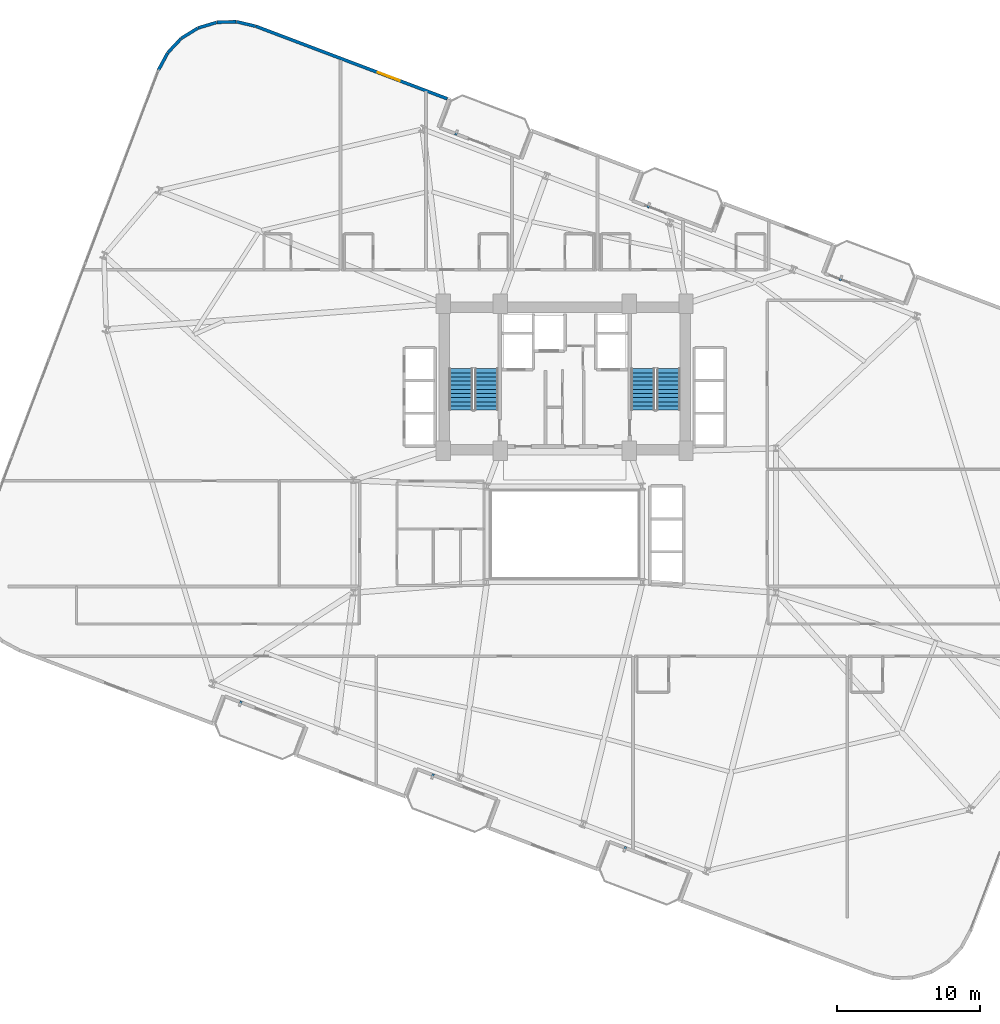
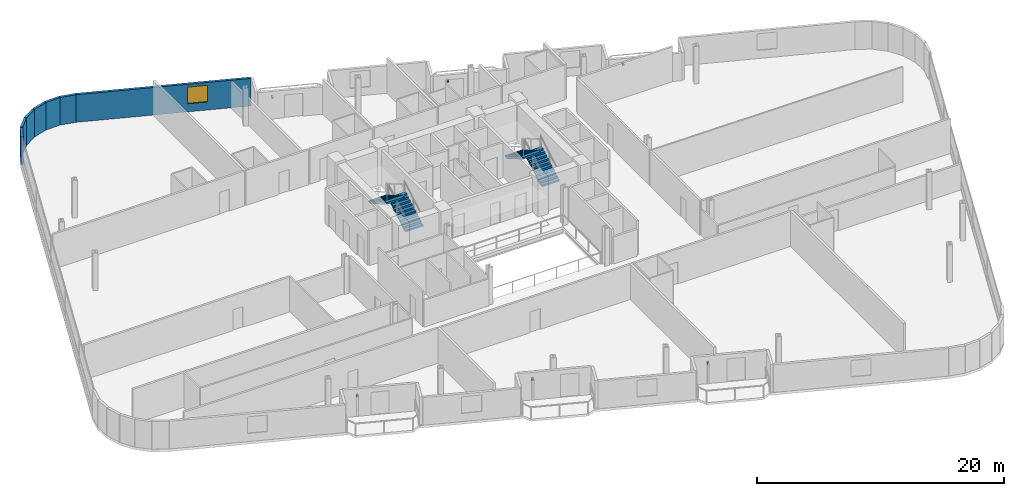
# One storey, part 21 of 24: 7 walls, 6 discrete accessories, 4 stair flights, 1 window, 1 opening, 2 elements without a shape of their own.
"""IFC4 building model written with IfcOpenShell, lengths in metres."""

from ifc_helpers import new_model, si_unit, direction, frame, frame_2d, origin, origin_2d, place, context, subcontext, project, spatial, polyline, rectangle, outline, extrude, source, transform, mapped, material, layer, layer_set, type_object, element, fill, aggregate, save


model = new_model("IFC4")

# Units and contexts
model_context = context("Model", 3, precision=1e-05, world=origin(), true_north=direction((0.0, 1.0)))
body_context = subcontext(model_context, "Body", "Model", "MODEL_VIEW")
ifc_project = project(units=[si_unit("LENGTHUNIT", "METRE"), si_unit("AREAUNIT", "SQUARE_METRE"), si_unit("VOLUMEUNIT", "CUBIC_METRE"), si_unit("PLANEANGLEUNIT", "RADIAN"), si_unit("MASSUNIT", "GRAM", prefix="KILO")], contexts=[model_context])

# Site, building, storey
site_placement = place(None, origin())
site = spatial("IfcSite", under=ifc_project, at=site_placement, CompositionType="ELEMENT")
building_placement = place(site_placement, origin())
building = spatial("IfcBuilding", under=site, at=building_placement, Name="Varnelok Gate Tower", CompositionType="ELEMENT")
storey_placement = place(building_placement, frame((0.0, 0.0, 94.699951171875)))
storey = spatial("IfcBuildingStorey", under=building, at=storey_placement, Name="L23", CompositionType="ELEMENT", Elevation=94.699951171875)

# Wall, opening, window
ifc_material_1 = material(Name="Concrete C45/55", Category="concrete")
ifc_layer = layer(ifc_material_1, 0.219970703125)
ifc_layer_set = layer_set([ifc_layer], Name="Concrete C45/55")
wall_type = type_object("IfcWallType", Name="EW-BALC-220", PredefinedType="SOLIDWALL", material=ifc_layer_set)
wall_1_placement = place(storey_placement, frame((30.97607421875, 53.412841796875, 0.0), z_axis=(0.0, 0.0, 1.0), x_axis=(-0.935220327379, 0.354066292178, 0.0)))
wall_1 = element("IfcWall", 1, at=wall_1_placement, inside=storey, type_object=wall_type, Name="L23 Perimeter Facade Closure Wall 38", PredefinedType="SOLIDWALL", context=body_context, shape_type="SweptSolid", body=[
    extrude(rectangle(XDim=14.34716796875, YDim=0.219970703125, at=frame_2d((7.173583984375, 0.0))), origin(), (0.0, 0.0, 1.0), 2.72998046875),
])
opening_placement = place(wall_1_placement, frame((3.55517578125, 0.0, 0.800048828125)))
opening = element("IfcOpeningElement", 2, at=opening_placement, cuts=wall_1, Name="Opening WN3", PredefinedType="OPENING", context=body_context, shape_type="SweptSolid", body=[
    extrude(rectangle(XDim=1.64990234375, YDim=1.64990234375, at=frame_2d((0.824951171875, 0.824951171875))), frame((0.0, 0.119873046875, 0.0), z_axis=(0.0, -1.0, 0.0), x_axis=(1.0, 0.0, 0.0)), (0.0, 0.0, 1.0), 0.239990234375),
])
ifc_material_2 = material(Name="Low-E Laminated Double Glazing IGU", Category="glass")
window_type = type_object("IfcWindowType", Name="WN-HTL-1650", PartitioningType="SINGLE_PANEL", PredefinedType="WINDOW", material=ifc_material_2)
window_placement = place(opening_placement, origin())
window = element("IfcWindow", 3, at=window_placement, inside=storey, type_object=window_type, Name="L23 Perimeter Vision Window 38", OverallHeight=1.64990234375, OverallWidth=1.64990234375, PartitioningType="SINGLE_PANEL", PredefinedType="WINDOW", context=body_context, shape_type="SweptSolid", body=[
    extrude(rectangle(XDim=1.64990234375, YDim=1.64990234375, at=frame_2d((0.824951171875, 0.824951171875))), frame((0.0, 0.030029296875, 0.0), z_axis=(0.0, -1.0, 0.0), x_axis=(1.0, 0.0, 0.0)), (0.0, 0.0, 1.0), 0.06005859375),
])
fill(opening, window)

# Walls
wall_2_placement = place(storey_placement, frame((17.533935546875, 58.498291015625, 0.0), z_axis=(0.0, 0.0, 1.0), x_axis=(-0.973414815952, 0.229049331117, 0.0)))
element("IfcWall", 4, at=wall_2_placement, inside=storey, type_object=wall_type, Name="L23 Perimeter Facade Closure Wall 39", PredefinedType="SOLIDWALL", context=body_context, shape_type="SweptSolid", body=[
    extrude(rectangle(XDim=1.361083984375, YDim=0.219970703125, at=frame_2d((0.6806640625, 0.0))), origin(), (0.0, 0.0, 1.0), 2.72998046875),
])
wall_3_placement = place(storey_placement, frame((16.18408203125, 58.809326171875, 0.0), z_axis=(0.0, 0.0, 1.0), x_axis=(-0.999523971993, -0.03085173271, 0.0)))
element("IfcWall", 5, at=wall_3_placement, inside=storey, type_object=wall_type, Name="L23 Perimeter Facade Closure Wall 40", PredefinedType="SOLIDWALL", context=body_context, shape_type="SweptSolid", body=[
    extrude(rectangle(XDim=1.353271484375, YDim=0.219970703125, at=frame_2d((0.6767578125, 0.0))), origin(), (0.0, 0.0, 1.0), 2.72998046875),
])
for number, where, z_axis, x_axis, name in (
    (6, (14.8076171875, 58.76025390625, 0.0), (0.0, 0.0, 1.0), (-0.957532798303, -0.28832436625, 0.0), "L23 Perimeter Facade Closure Wall 41"),
    (7, (13.49072265625, 58.35693359375, 0.0), (0.0, 0.0, 1.0), (-0.850261301096, -0.526360826676, 0.0), "L23 Perimeter Facade Closure Wall 42"),
    (8, (12.3232421875, 57.62646484375, 0.0), (0.0, 0.0, 1.0), (-0.684936830459, -0.728602455583, 0.0), "L23 Perimeter Facade Closure Wall 43"),
    (9, (11.384521484375, 56.61865234375, 0.0), (0.0, 0.0, 1.0), (-0.473077364598, -0.881020889142, 0.0), "L23 Perimeter Facade Closure Wall 44"),
):
    element("IfcWall", number, at=place(storey_placement, frame(where, z_axis=z_axis, x_axis=x_axis)), inside=storey, type_object=wall_type, Name=name, PredefinedType="SOLIDWALL", context=body_context, shape_type="SweptSolid", body=[
        extrude(rectangle(XDim=1.35302734375, YDim=0.219970703125, at=frame_2d((0.676513671875, 0.0))), origin(), (0.0, 0.0, 1.0), 2.72998046875),
    ])

# Stair, stair flights
ifc_material_3 = material(Name="Concrete C50/60", Category="concrete")
stair_type = type_object("IfcStairType", Name="STR-CORE-1650", PredefinedType="HALF_TURN_STAIR", material=ifc_material_3)
stair_1_placement = place(storey_placement, origin())
stair_1 = element("IfcStair", 10, at=stair_1_placement, inside=storey, type_object=stair_type, Name="L23 Exit Stair ST-1", PredefinedType="HALF_TURN_STAIR")
stair_flight_type = type_object("IfcStairFlightType", Name="SFL-CORE-1650", PredefinedType="STRAIGHT", material=ifc_material_3)
stair_flight_1_placement = place(storey_placement, frame((33.72509765625, 31.60009765625, 0.0), z_axis=(0.0, 0.0, 1.0), x_axis=(0.0, 1.0, 0.0)))
stair_flight_1 = element("IfcStairFlight", 11, at=stair_flight_1_placement, type_object=stair_flight_type, Name="ST-1 flight 1", NumberOfRisers=11, NumberOfTreads=10, PredefinedType="STRAIGHT", RiserHeight=0.168181818, TreadLength=0.29, context=body_context, shape_type="SweptSolid", body=[
    extrude(outline(polyline([(0.0, 0.0), (0.0, 0.168212890625), (0.2900390625, 0.168212890625), (0.2900390625, 0.33642578125), (0.580078125, 0.33642578125), (0.580078125, 0.504638671875), (0.8701171875, 0.504638671875), (0.8701171875, 0.672607421875), (1.159912109375, 0.672607421875), (1.159912109375, 0.8408203125), (1.449951171875, 0.8408203125), (1.449951171875, 1.009033203125), (1.739990234375, 1.009033203125), (1.739990234375, 1.17724609375), (2.030029296875, 1.17724609375), (2.030029296875, 1.345458984375), (2.320068359375, 1.345458984375), (2.320068359375, 1.513671875), (2.610107421875, 1.513671875), (2.610107421875, 1.681884765625), (2.89990234375, 1.681884765625), (2.89990234375, 1.85009765625), (2.89990234375, 1.508544921875), (0.298828125, 0.0), (0.0, 0.0)])), frame((0.0, 0.824951171875, 0.0), z_axis=(0.0, -1.0, 0.0), x_axis=(1.0, 0.0, 0.0)), (0.0, 0.0, 1.0), 1.64990234375),
])
stair_flight_2_placement = place(storey_placement, frame((31.925048828125, 34.5, 1.85009765625), z_axis=(0.0, 0.0, 1.0), x_axis=(0.0, -1.0, 0.0)))
stair_flight_2 = element("IfcStairFlight", 12, at=stair_flight_2_placement, type_object=stair_flight_type, Name="ST-1 flight 2", NumberOfRisers=11, NumberOfTreads=10, PredefinedType="STRAIGHT", RiserHeight=0.168181818, TreadLength=0.29, context=body_context, shape_type="SweptSolid", body=[
    extrude(outline(polyline([(0.0, 0.0), (0.0, 0.168212890625), (0.2900390625, 0.168212890625), (0.2900390625, 0.33642578125), (0.580078125, 0.33642578125), (0.580078125, 0.504638671875), (0.8701171875, 0.504638671875), (0.8701171875, 0.672607421875), (1.159912109375, 0.672607421875), (1.159912109375, 0.8408203125), (1.449951171875, 0.8408203125), (1.449951171875, 1.009033203125), (1.739990234375, 1.009033203125), (1.739990234375, 1.17724609375), (2.030029296875, 1.17724609375), (2.030029296875, 1.345458984375), (2.320068359375, 1.345458984375), (2.320068359375, 1.513671875), (2.610107421875, 1.513671875), (2.610107421875, 1.681884765625), (2.89990234375, 1.681884765625), (2.89990234375, 1.85009765625), (2.89990234375, 1.508544921875), (0.298828125, 0.0), (0.0, 0.0)])), frame((0.0, 0.824951171875, 0.0), z_axis=(0.0, -1.0, 0.0), x_axis=(1.0, 0.0, 0.0)), (0.0, 0.0, 1.0), 1.64990234375),
])
aggregate(stair_1, [stair_flight_1, stair_flight_2])

stair_2_placement = place(storey_placement, origin())
stair_2 = element("IfcStair", 13, at=stair_2_placement, inside=storey, type_object=stair_type, Name="L23 Exit Stair ST-2", PredefinedType="HALF_TURN_STAIR")
stair_flight_3_placement = place(storey_placement, frame((46.47509765625, 31.60009765625, 0.0), z_axis=(0.0, 0.0, 1.0), x_axis=(0.0, 1.0, 0.0)))
stair_flight_3 = element("IfcStairFlight", 14, at=stair_flight_3_placement, type_object=stair_flight_type, Name="ST-2 flight 1", NumberOfRisers=11, NumberOfTreads=10, PredefinedType="STRAIGHT", RiserHeight=0.168181818, TreadLength=0.29, context=body_context, shape_type="SweptSolid", body=[
    extrude(outline(polyline([(0.0, 0.0), (0.0, 0.168212890625), (0.2900390625, 0.168212890625), (0.2900390625, 0.33642578125), (0.580078125, 0.33642578125), (0.580078125, 0.504638671875), (0.8701171875, 0.504638671875), (0.8701171875, 0.672607421875), (1.159912109375, 0.672607421875), (1.159912109375, 0.8408203125), (1.449951171875, 0.8408203125), (1.449951171875, 1.009033203125), (1.739990234375, 1.009033203125), (1.739990234375, 1.17724609375), (2.030029296875, 1.17724609375), (2.030029296875, 1.345458984375), (2.320068359375, 1.345458984375), (2.320068359375, 1.513671875), (2.610107421875, 1.513671875), (2.610107421875, 1.681884765625), (2.89990234375, 1.681884765625), (2.89990234375, 1.85009765625), (2.89990234375, 1.508544921875), (0.298828125, 0.0), (0.0, 0.0)])), frame((0.0, 0.824951171875, 0.0), z_axis=(0.0, -1.0, 0.0), x_axis=(1.0, 0.0, 0.0)), (0.0, 0.0, 1.0), 1.64990234375),
])
stair_flight_4_placement = place(storey_placement, frame((44.675048828125, 34.5, 1.85009765625), z_axis=(0.0, 0.0, 1.0), x_axis=(0.0, -1.0, 0.0)))
stair_flight_4 = element("IfcStairFlight", 15, at=stair_flight_4_placement, type_object=stair_flight_type, Name="ST-2 flight 2", NumberOfRisers=11, NumberOfTreads=10, PredefinedType="STRAIGHT", RiserHeight=0.168181818, TreadLength=0.29, context=body_context, shape_type="SweptSolid", body=[
    extrude(outline(polyline([(0.0, 0.0), (0.0, 0.168212890625), (0.2900390625, 0.168212890625), (0.2900390625, 0.33642578125), (0.580078125, 0.33642578125), (0.580078125, 0.504638671875), (0.8701171875, 0.504638671875), (0.8701171875, 0.672607421875), (1.159912109375, 0.672607421875), (1.159912109375, 0.8408203125), (1.449951171875, 0.8408203125), (1.449951171875, 1.009033203125), (1.739990234375, 1.009033203125), (1.739990234375, 1.17724609375), (2.030029296875, 1.17724609375), (2.030029296875, 1.345458984375), (2.320068359375, 1.345458984375), (2.320068359375, 1.513671875), (2.610107421875, 1.513671875), (2.610107421875, 1.681884765625), (2.89990234375, 1.681884765625), (2.89990234375, 1.85009765625), (2.89990234375, 1.508544921875), (0.298828125, 0.0), (0.0, 0.0)])), frame((0.0, 0.824951171875, 0.0), z_axis=(0.0, -1.0, 0.0), x_axis=(1.0, 0.0, 0.0)), (0.0, 0.0, 1.0), 1.64990234375),
])
aggregate(stair_2, [stair_flight_3, stair_flight_4])

# Discrete accessories
ifc_material_4 = material(Name="Structural Steel ASTM A500 Grade C", Category="steel")
discrete_accessory_type = type_object("IfcDiscreteAccessoryType", Name="ACC-BAGUETTE-BRK", PredefinedType="BRACKET", material=ifc_material_4)
shared_shape = source(origin(), body_context, "Body", "SweptSolid", [
    extrude(rectangle(XDim=0.159912109375, YDim=0.340087890625, at=origin_2d()), origin(), (0.0, 0.0, 1.0), 0.139892578125),
])
for number, where, z_axis, x_axis, name in (
    (16, (16.483154296875, 11.050048828125, 1.97998046875), (0.0, 0.0, 1.0), (0.935221751401, -0.354062530786, 0.0), "L23 Terracotta Baguette Bracket 1.1"),
    (17, (29.9501953125, 5.95166015625, 1.97998046875), (0.0, 0.0, 1.0), (0.935221751401, -0.354062530786, 0.0), "L23 Terracotta Baguette Bracket 2.1"),
    (18, (43.41748046875, 0.85302734375, 1.97998046875), (0.0, 0.0, 1.0), (0.935221751401, -0.354062530786, 0.0), "L23 Terracotta Baguette Bracket 3.1"),
    (19, (31.61572265625, 51.021484375, 1.97998046875), (0.0, 0.0, 1.0), (0.935221751401, -0.354062530786, 0.0), "L23 Terracotta Baguette Bracket 4.1"),
    (20, (45.0830078125, 45.923095703125, 1.97998046875), (0.0, 0.0, 1.0), (0.935221751401, -0.354062530786, 0.0), "L23 Terracotta Baguette Bracket 5.1"),
    (21, (58.550048828125, 40.824462890625, 1.97998046875), (0.0, 0.0, 1.0), (0.935221751401, -0.354062530786, 0.0), "L23 Terracotta Baguette Bracket 6.1"),
):
    element("IfcDiscreteAccessory", number, at=place(storey_placement, frame(where, z_axis=z_axis, x_axis=x_axis)), inside=storey, type_object=discrete_accessory_type, Name=name, PredefinedType="BRACKET", context=body_context, shape_type="MappedRepresentation", body=[
        mapped(shared_shape, transform((0.0, 0.0, 0.0), scale=1.0)),
    ])

save(model, "model.ifc")
